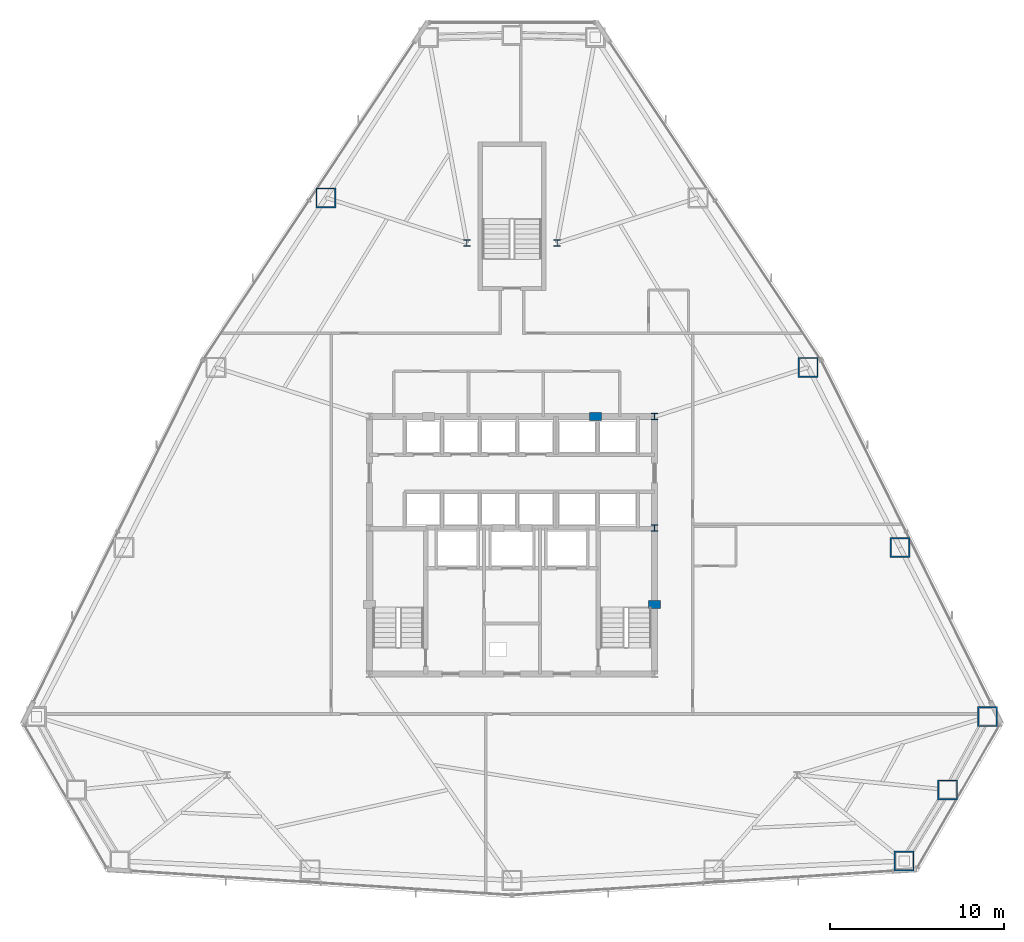
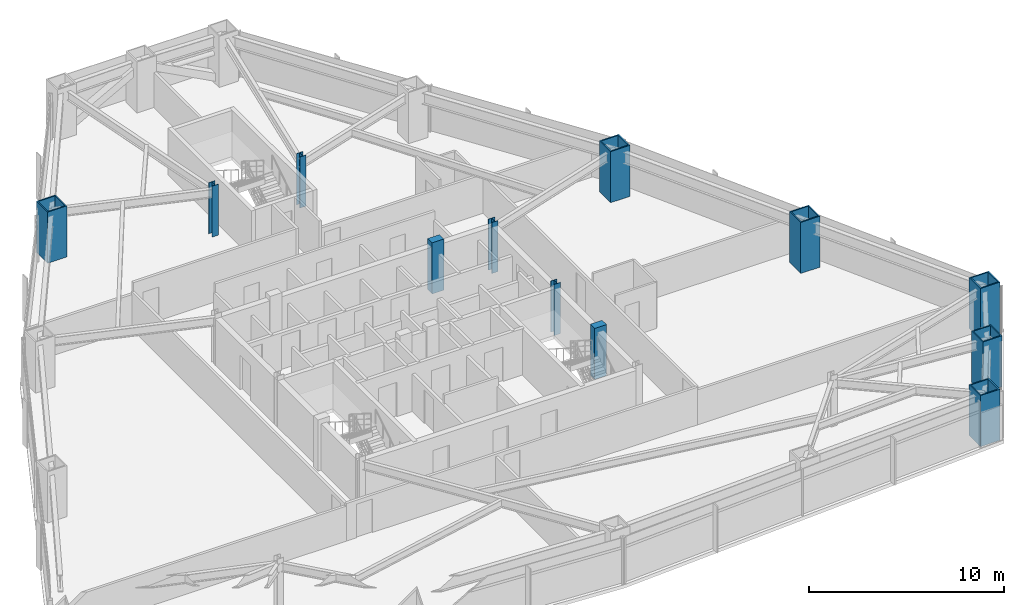
# One storey, part 2 of 12: 12 columns.
"""IFC4 building model written with IfcOpenShell, lengths in metres."""

from ifc_helpers import new_model, si_unit, direction, frame, origin, origin_2d, place, context, subcontext, project, spatial, rectangle, hollow_rectangle, i_section, extrude, material, material_profile, profile_set, type_object, element, save


model = new_model("IFC4")

# Units and contexts
model_context = context("Model", 3, precision=1e-05, world=origin(), true_north=direction((0.0, 1.0)))
body_context = subcontext(model_context, "Body", "Model", "MODEL_VIEW")
ifc_project = project(units=[si_unit("LENGTHUNIT", "METRE"), si_unit("AREAUNIT", "SQUARE_METRE"), si_unit("VOLUMEUNIT", "CUBIC_METRE"), si_unit("PLANEANGLEUNIT", "RADIAN"), si_unit("MASSUNIT", "GRAM", prefix="KILO")], contexts=[model_context])

# Site, building, storey
site_placement = place(None, origin())
site = spatial("IfcSite", under=ifc_project, at=site_placement, CompositionType="ELEMENT")
building_placement = place(site_placement, origin())
building = spatial("IfcBuilding", under=site, at=building_placement, Name="Varakhsha Concourse Tower", CompositionType="ELEMENT")
storey_placement = place(building_placement, frame((0.0, 0.0, 65.60009765625)))
storey = spatial("IfcBuildingStorey", under=building, at=storey_placement, Name="L18", CompositionType="ELEMENT", Elevation=65.60009765625)

# Columns
ifc_material_1 = material(Name="Structural Steel ASTM A992 Grade 50", Category="steel")
ifc_material_profile_1 = material_profile(ifc_material_1, i_section(OverallWidth=0.3740234375, OverallDepth=0.3720703125, WebThickness=0.01611328125, FlangeThickness=0.02587890625, at=origin_2d()), Name="W14X132")
ifc_profile_set_1 = profile_set([ifc_material_profile_1], Name="Structural Steel ASTM A992 Grade 50")
column_type_1 = type_object("IfcColumnType", Name="CL-CORE-W14X132", PredefinedType="COLUMN", material=ifc_profile_set_1)
for number, where, z_axis, x_axis, name in (
    (1, (48.199951171875, 24.800048828125, 0.0), (0.0, 0.0, 1.0), (1.0, 0.0, 0.0), "L18 Core Column CC-ME"),
    (2, (48.199951171875, 31.199951171875, 0.0), (0.0, 0.0, 1.0), (1.0, 0.0, 0.0), "L18 Core Column CC-NE"),
    (3, (37.39990234375, 41.199951171875, 0.0), (0.0, 0.0, 1.0), (1.0, 0.0, 0.0), "L18 Core Column NS-W"),
    (4, (42.60009765625, 41.199951171875, 0.0), (0.0, 0.0, 1.0), (1.0, 0.0, 0.0), "L18 Core Column NS-E"),
):
    element("IfcColumn", number, at=place(storey_placement, frame(where, z_axis=z_axis, x_axis=x_axis)), inside=storey, type_object=column_type_1, Name=name, PredefinedType="COLUMN", context=body_context, shape_type="SweptSolid", body=[
        extrude(i_section(OverallWidth=0.3740234375, OverallDepth=0.3720703125, WebThickness=0.01611328125, FlangeThickness=0.02587890625, at=origin_2d()), origin(), (0.0, 0.0, 1.0), 3.199951171875),
    ])
ifc_material_2 = material(Name="Concrete fc 65 MPa", Category="concrete")
ifc_material_profile_2 = material_profile(ifc_material_2, rectangle(XDim=0.699951171875, YDim=0.449951171875, at=origin_2d()), Name="RC 700x450")
ifc_profile_set_2 = profile_set([ifc_material_profile_2], Name="Concrete fc 65 MPa")
column_type_2 = type_object("IfcColumnType", Name="CL-PIL-700X450", PredefinedType="PILASTER", material=ifc_profile_set_2)
for number, where, z_axis, x_axis, name in (
    (5, (48.199951171875, 20.39990234375, 0.0), (0.0, 0.0, 1.0), (1.0, 0.0, 0.0), "L18 Core Boundary Pilaster PIL-E1"),
    (6, (44.800048828125, 31.199951171875, 0.0), (0.0, 0.0, 1.0), (1.0, 0.0, 0.0), "L18 Core Boundary Pilaster PIL-N2"),
):
    element("IfcColumn", number, at=place(storey_placement, frame(where, z_axis=z_axis, x_axis=x_axis)), inside=storey, type_object=column_type_2, Name=name, PredefinedType="PILASTER", context=body_context, shape_type="SweptSolid", body=[
        extrude(rectangle(XDim=0.699951171875, YDim=0.449951171875, at=origin_2d()), origin(), (0.0, 0.0, 1.0), 3.199951171875),
    ])
ifc_material_3 = material(Name="Structural Steel ASTM A572 Grade 50", Category="steel")
ifc_material_profile_3 = material_profile(ifc_material_3, hollow_rectangle(XDim=1.14990234375, YDim=1.14990234375, WallThickness=0.074951171875, at=origin_2d()), Name="BOX 1150x1150x75")
ifc_profile_set_3 = profile_set([ifc_material_profile_3], Name="Structural Steel ASTM A572 Grade 50")
column_type_3 = type_object("IfcColumnType", Name="CL-TUBE-1150", PredefinedType="COLUMN", material=ifc_profile_set_3)
for number, where, z_axis, x_axis, name in (
    (7, (29.298583984375, 43.7900390625, 0.0), (0.0, 0.0, 1.0), (1.0, 0.0, 0.0), "L18 Framed-Tube Column TC04"),
    (8, (62.5595703125, 5.642822265625, 0.0), (0.0, 0.0, 1.0), (1.0, 0.0, 0.0), "L18 Framed-Tube Column TC13"),
    (9, (65.0576171875, 9.73291015625, 0.0), (0.0, 0.0, 1.0), (1.0, 0.0, 0.0), "L18 Framed-Tube Column TC14"),
    (10, (67.3505859375, 13.94140625, 0.0), (0.0, 0.0, 1.0), (1.0, 0.0, 0.0), "L18 Framed-Tube Column TC15"),
    (11, (62.31640625, 23.672607421875, 0.0), (0.0, 0.0, 1.0), (1.0, 0.0, 0.0), "L18 Framed-Tube Column TC16"),
    (12, (57.034912109375, 34.03515625, 0.0), (0.0, 0.0, 1.0), (1.0, 0.0, 0.0), "L18 Framed-Tube Column TC17"),
):
    element("IfcColumn", number, at=place(storey_placement, frame(where, z_axis=z_axis, x_axis=x_axis)), inside=storey, type_object=column_type_3, Name=name, PredefinedType="COLUMN", context=body_context, shape_type="SweptSolid", body=[
        extrude(hollow_rectangle(XDim=1.14990234375, YDim=1.14990234375, WallThickness=0.074951171875, at=origin_2d()), origin(), (0.0, 0.0, 1.0), 3.199951171875),
    ])

save(model, "model.ifc")
